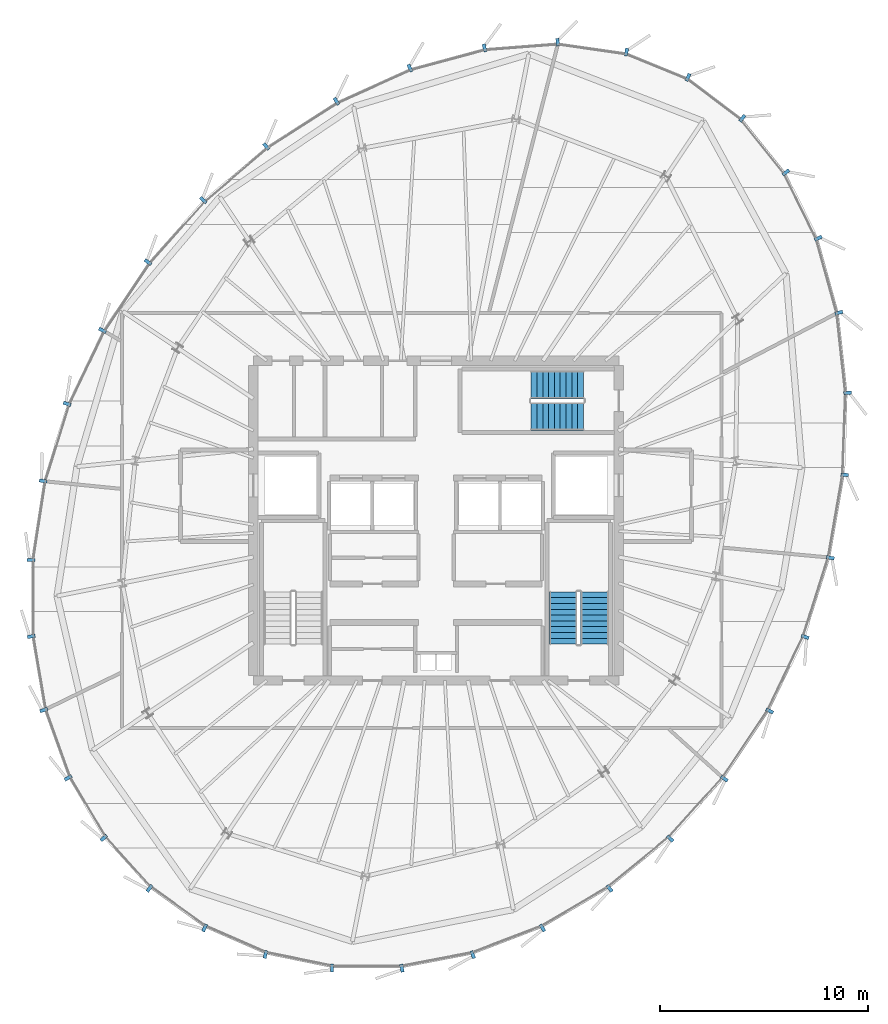
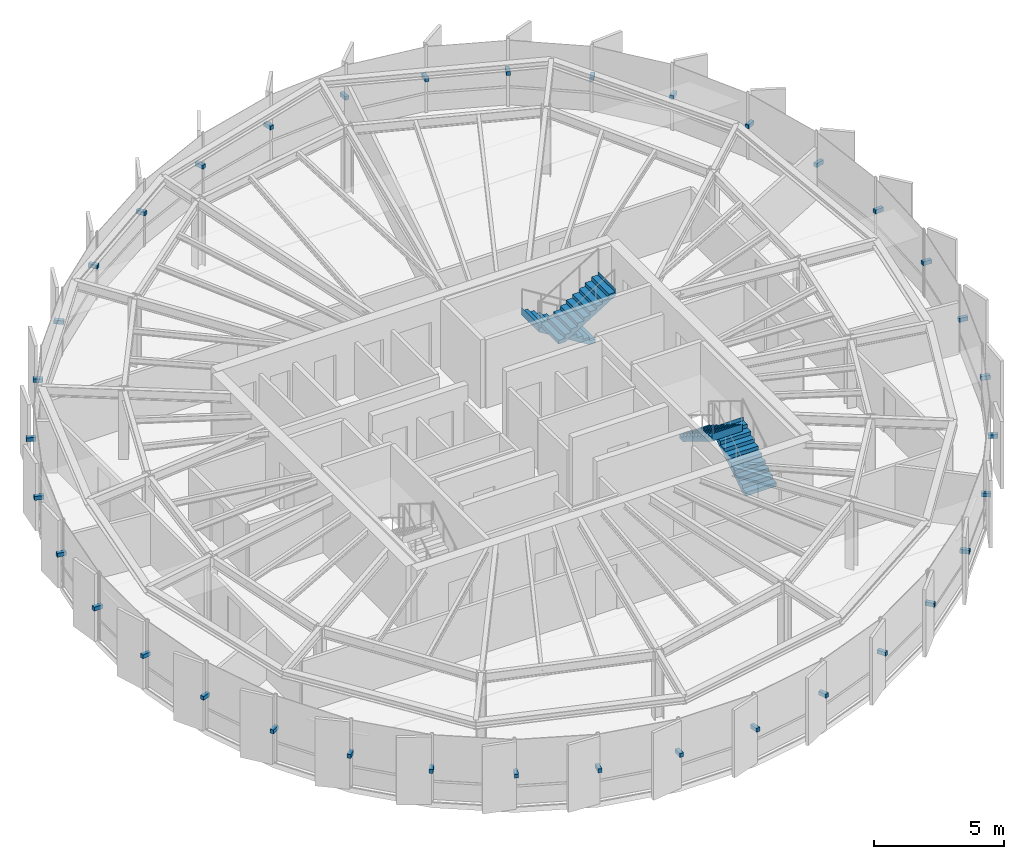
# One storey, part 27 of 31: 36 discrete accessories, 4 stair flights, 2 elements without a shape of their own.
"""IFC4 building model written with IfcOpenShell, lengths in metres."""

import ifcopenshell
import ifcopenshell.guid

model = None  # the IFC model being written
_history = None  # IfcOwnerHistory: only IFC2X3 demands one
_inside = {}  # id of a spatial element -> (the spatial element, [elements in it])
_under = {}  # id of a project, library or spatial element -> (it, [spatial elements below it])
_declared = {}  # id of a project -> (the project, [libraries it declares])
_typed = {}  # id of a type object -> (the type object, [elements of that type])
_made_of = {}  # id of a material, layer set ... -> (it, [elements and type objects made of it])


def new_model(schema):
    """Start an empty IFC model of exactly this schema.

    Asked for "IFC4X3", IfcOpenShell would pick the latest addendum, in which some entities
    have other attributes; the version numbers below select the first issue.
    IFC2X3 requires an IfcOwnerHistory on every rooted entity: one is made here for all.
    """
    global model, _history
    if schema == "IFC4X3":
        model = ifcopenshell.file(schema_version=(4, 3, 0, 0))
    else:
        model = ifcopenshell.file(schema=schema)
    _inside.clear()
    _under.clear()
    _declared.clear()
    _typed.clear()
    _made_of.clear()
    _history = None
    if model.schema == "IFC2X3":
        org = make("IfcOrganization", Name="unknown")
        user = make(
            "IfcPersonAndOrganization",
            ThePerson=make("IfcPerson", FamilyName="unknown"),
            TheOrganization=org,
        )
        app = make(
            "IfcApplication",
            ApplicationDeveloper=org,
            Version="unknown",
            ApplicationFullName="unknown",
            ApplicationIdentifier="unknown",
        )
        _history = make(
            "IfcOwnerHistory",
            OwningUser=user,
            OwningApplication=app,
            ChangeAction="ADDED",
            CreationDate=0,
        )
    return model


def make(cls, **values):
    """One entity of the class cls with the attributes given. An attribute that is None is left unset."""
    return model.create_entity(
        cls, **{name: value for name, value in values.items() if value is not None}
    )


def rooted(cls, **values):
    """An entity with a GlobalId (a new one), such as an element, a storey or a relation."""
    return make(cls, GlobalId=ifcopenshell.guid.new(), OwnerHistory=_history, **values)


def si_unit(unit_type, name, prefix=None):
    """IfcSIUnit, for example si_unit("LENGTHUNIT", "METRE", prefix="MILLI")."""
    return make("IfcSIUnit", UnitType=unit_type, Prefix=prefix, Name=name)


def assignment(units):
    """IfcUnitAssignment: the units of a project."""
    return None if units is None else make("IfcUnitAssignment", Units=units)


def point(xyz):
    """IfcCartesianPoint."""
    return None if xyz is None else make("IfcCartesianPoint", Coordinates=xyz)


def direction(xyz):
    """IfcDirection."""
    return None if xyz is None else make("IfcDirection", DirectionRatios=xyz)


def frame(location, z_axis=None, x_axis=None):
    """IfcAxis2Placement3D, a coordinate frame: its origin and axes. An axis left out is left unset."""
    return make(
        "IfcAxis2Placement3D",
        Location=point(location),
        Axis=direction(z_axis),
        RefDirection=direction(x_axis),
    )


def frame_2d(location, x_axis=None):
    """IfcAxis2Placement2D, a coordinate frame in the plane: its origin and x axis."""
    return make(
        "IfcAxis2Placement2D", Location=point(location), RefDirection=direction(x_axis)
    )


def origin():
    """The frame at (0, 0, 0) with its axes left unset."""
    return frame((0.0, 0.0, 0.0))


def origin_2d():
    """The frame at (0, 0) in the plane with its x axis left unset."""
    return frame_2d((0.0, 0.0))


def place(relative_to, where):
    """IfcLocalPlacement: puts the frame where relative to a parent placement (None: the world)."""
    return make(
        "IfcLocalPlacement", PlacementRelTo=relative_to, RelativePlacement=where
    )


def context(
    kind, dimensions, precision=None, world=None, true_north=None, identifier=None
):
    """IfcGeometricRepresentationContext, for example the 3D "Model" context."""
    return make(
        "IfcGeometricRepresentationContext",
        ContextIdentifier=identifier,
        ContextType=kind,
        CoordinateSpaceDimension=dimensions,
        Precision=precision,
        WorldCoordinateSystem=world,
        TrueNorth=true_north,
    )


def subcontext(parent, identifier, kind, view, scale=None):
    """IfcGeometricRepresentationSubContext, for example "Body" below "Model"."""
    return make(
        "IfcGeometricRepresentationSubContext",
        ContextIdentifier=identifier,
        ContextType=kind,
        ParentContext=parent,
        TargetScale=scale,
        TargetView=view,
    )


def project(units=None, contexts=None):
    """IfcProject with its units and contexts."""
    return rooted(
        "IfcProject",
        Name="project",
        RepresentationContexts=contexts,
        UnitsInContext=assignment(units),
    )


def spatial(cls, under=None, at=None, **own):
    """A site, building, storey or space (cls), placed at a placement, below another one or the project."""
    s = rooted(cls, ObjectPlacement=at, **own)
    if under is not None:
        _under.setdefault(under.id(), (under, []))[1].append(s)
    return s


def polyline(points):
    """IfcPolyline through the points."""
    return make("IfcPolyline", Points=[point(p) for p in points])


def profile(cls, at=None, kind="AREA", **sizes):
    """A parametric profile (cls). Its sizes go by their IFC names, for example OverallWidth=200.0."""
    return make(cls, ProfileType=kind, Position=at, **sizes)


def rectangle(**sizes):
    """IfcRectangleProfileDef."""
    return profile("IfcRectangleProfileDef", **sizes)


def outline(outer, holes=None, kind="AREA"):
    """IfcArbitraryClosedProfileDef: a profile drawn as a closed curve; with holes, ...WithVoids."""
    if holes is None:
        return make("IfcArbitraryClosedProfileDef", ProfileType=kind, OuterCurve=outer)
    return make(
        "IfcArbitraryProfileDefWithVoids",
        ProfileType=kind,
        OuterCurve=outer,
        InnerCurves=holes,
    )


def extrude(swept, where, along, depth):
    """IfcExtrudedAreaSolid: the profile swept, set in the frame where, extruded along a direction by depth."""
    return make(
        "IfcExtrudedAreaSolid",
        SweptArea=swept,
        Position=where,
        ExtrudedDirection=direction(along),
        Depth=depth,
    )


def shape(context_of_items, identifier, shape_type, items):
    """IfcShapeRepresentation: the items that make up one representation, for example the "Body"."""
    return make(
        "IfcShapeRepresentation",
        ContextOfItems=context_of_items,
        RepresentationIdentifier=identifier,
        RepresentationType=shape_type,
        Items=items,
    )


def source(mapping_origin, context_of_items, identifier, shape_type, items):
    """IfcRepresentationMap: a shape defined once, which mapped items show again and again."""
    return make(
        "IfcRepresentationMap",
        MappingOrigin=mapping_origin,
        MappedRepresentation=shape(context_of_items, identifier, shape_type, items),
    )


def transform(
    local_origin,
    x_axis=None,
    y_axis=None,
    z_axis=None,
    scale=None,
    scale2=None,
    scale3=None,
    uniform=True,
):
    """IfcCartesianTransformationOperator3D, or its non-uniform kind. x_axis, y_axis, z_axis: its Axis1, 2, 3."""
    if uniform:
        return make(
            "IfcCartesianTransformationOperator3D",
            Axis1=direction(x_axis),
            Axis2=direction(y_axis),
            LocalOrigin=point(local_origin),
            Scale=scale,
            Axis3=direction(z_axis),
        )
    return make(
        "IfcCartesianTransformationOperator3DnonUniform",
        Axis1=direction(x_axis),
        Axis2=direction(y_axis),
        LocalOrigin=point(local_origin),
        Scale=scale,
        Axis3=direction(z_axis),
        Scale2=scale2,
        Scale3=scale3,
    )


def mapped(mapping_source, mapping_target):
    """IfcMappedItem: shows the shape of a source again, moved by a transform."""
    return make(
        "IfcMappedItem", MappingSource=mapping_source, MappingTarget=mapping_target
    )


def material(Name=None, Category=None):
    """IfcMaterial."""
    return make("IfcMaterial", Name=Name, Category=Category)


def made_of(thing, what):
    """Note that an element or type object is made of a material, layer set ...; save() writes the relation."""
    if what is not None:
        _made_of.setdefault(what.id(), (what, []))[1].append(thing)
    return thing


def type_object(cls, material=None, **own):
    """A type object (cls), such as IfcWallType, which elements share."""
    return made_of(rooted(cls, **own), material)


def element(
    cls,
    number,
    at=None,
    inside=None,
    cuts=None,
    type_object=None,
    material=None,
    context=None,
    identifier="Body",
    shape_type=None,
    held_by="IfcProductDefinitionShape",
    body=None,
    shapes=None,
    **own,
):
    """One element of the class cls, such as IfcWall. Its Tag is "e" and its number.

    at: its placement. inside: the storey or other place that contains it. cuts: it is an
    opening in that element (IfcRelVoidsElement). A single representation is given by context,
    identifier, shape_type and body (its items); several are given by shapes. held_by: the class
    of the entity that holds the representations. save() writes the other relations.
    """
    e = rooted(cls, Tag="e%d" % number, ObjectPlacement=at, **own)
    if body is not None:
        shapes = [shape(context, identifier, shape_type, body)]
    if shapes is not None:
        e.Representation = make(held_by, Representations=shapes)
    if inside is not None:
        _inside.setdefault(inside.id(), (inside, []))[1].append(e)
    if cuts is not None:
        rooted(
            "IfcRelVoidsElement", RelatingBuildingElement=cuts, RelatedOpeningElement=e
        )
    if type_object is not None:
        _typed.setdefault(type_object.id(), (type_object, []))[1].append(e)
    return made_of(e, material)


def aggregate(whole, parts):
    """IfcRelAggregates: a whole, such as a stair, and the parts it consists of."""
    return rooted("IfcRelAggregates", RelatingObject=whole, RelatedObjects=parts)


def save(model, path):
    """Write the relations noted so far, then the file.

    IfcRelAggregates (storeys below a building ...), IfcRelContainedInSpatialStructure (elements
    in a storey), IfcRelDefinesByType, IfcRelAssociatesMaterial and IfcRelDeclares: one each for
    every whole, place, type object, material and project.
    """
    for whole, parts in _under.values():
        aggregate(whole, parts)
    for where, things in _inside.values():
        rooted(
            "IfcRelContainedInSpatialStructure",
            RelatedElements=things,
            RelatingStructure=where,
        )
    for kind, things in _typed.values():
        rooted("IfcRelDefinesByType", RelatedObjects=things, RelatingType=kind)
    for what, things in _made_of.values():
        rooted("IfcRelAssociatesMaterial", RelatedObjects=things, RelatingMaterial=what)
    for by, libraries in _declared.values():
        rooted("IfcRelDeclares", RelatingContext=by, RelatedDefinitions=libraries)
    model.write(path)


model = new_model("IFC4")

# Units and contexts
model_context = context("Model", 3, precision=1e-05, world=origin(), true_north=direction((0.0, 1.0)))
body_context = subcontext(model_context, "Body", "Model", "MODEL_VIEW")
ifc_project = project(units=[si_unit("LENGTHUNIT", "METRE"), si_unit("AREAUNIT", "SQUARE_METRE"), si_unit("VOLUMEUNIT", "CUBIC_METRE"), si_unit("PLANEANGLEUNIT", "RADIAN"), si_unit("MASSUNIT", "GRAM", prefix="KILO"), si_unit("THERMODYNAMICTEMPERATUREUNIT", "KELVIN")], contexts=[model_context])

# Site, building, storey
site_placement = place(None, origin())
site = spatial("IfcSite", under=ifc_project, at=site_placement, CompositionType="ELEMENT")
building_placement = place(site_placement, origin())
building = spatial("IfcBuilding", under=site, at=building_placement, Name="Kethvar Cultural Tower", CompositionType="ELEMENT")
storey_placement = place(building_placement, frame((0.0, 0.0, 276.699951171875)))
storey = spatial("IfcBuildingStorey", under=building, at=storey_placement, Name="L73", CompositionType="ELEMENT", Elevation=276.699951171875)

# Stair, stair flights
ifc_material_1 = material(Name="Concrete C40/50", Category="concrete")
stair_type = type_object("IfcStairType", Name="ST-DOGLEG-135", PredefinedType="HALF_TURN_STAIR", material=ifc_material_1)
stair_1_placement = place(storey_placement, origin())
stair_1 = element("IfcStair", 1, at=stair_1_placement, inside=storey, type_object=stair_type, Name="L73 Core Exit Stair 2", PredefinedType="HALF_TURN_STAIR")
stair_flight_type = type_object("IfcStairFlightType", Name="FL-STRAIGHT-135", PredefinedType="STRAIGHT", material=ifc_material_1)
stair_flight_1_placement = place(storey_placement, frame((54.43505859375, 21.85009765625, 0.0), z_axis=(0.0, 0.0, 1.0), x_axis=(0.0, 1.0, 0.0)))
stair_flight_1 = element("IfcStairFlight", 2, at=stair_flight_1_placement, type_object=stair_flight_type, Name="ST-02 flight 1", NumberOfRisers=10, NumberOfTreads=9, PredefinedType="STRAIGHT", RiserHeight=0.1725, TreadLength=0.28, context=body_context, shape_type="SweptSolid", body=[
    extrude(outline(polyline([(-0.0009765625, -0.0009765625), (-0.0009765625, 0.172607421875), (0.280029296875, 0.172607421875), (0.280029296875, 0.344970703125), (0.56005859375, 0.344970703125), (0.56005859375, 0.517578125), (0.840087890625, 0.517578125), (0.840087890625, 0.68994140625), (1.1201171875, 0.68994140625), (1.1201171875, 0.862548828125), (1.39990234375, 0.862548828125), (1.39990234375, 1.034912109375), (1.679931640625, 1.034912109375), (1.679931640625, 1.20751953125), (1.9599609375, 1.20751953125), (1.9599609375, 1.3798828125), (2.239990234375, 1.3798828125), (2.239990234375, 1.552490234375), (2.52001953125, 1.552490234375), (2.52001953125, 1.72509765625), (2.52099609375, 1.72509765625), (2.52099609375, 1.37646484375), (0.285888671875, 0.0), (0.0, -0.0009765625), (-0.0009765625, -0.0009765625)])), frame((0.0, 0.675048828125, 0.0), z_axis=(0.0, -1.0, 0.0), x_axis=(1.0, 0.0, 0.0)), (0.0, 0.0, 1.0), 1.35009765625),
])
stair_flight_2_placement = place(storey_placement, frame((52.925048828125, 24.3701171875, 1.72509765625), z_axis=(0.0, 0.0, 1.0), x_axis=(0.0, -1.0, 0.0)))
stair_flight_2 = element("IfcStairFlight", 3, at=stair_flight_2_placement, type_object=stair_flight_type, Name="ST-02 flight 2", NumberOfRisers=10, NumberOfTreads=9, PredefinedType="STRAIGHT", RiserHeight=0.1725, TreadLength=0.28, context=body_context, shape_type="SweptSolid", body=[
    extrude(outline(polyline([(-0.0009765625, -0.0009765625), (-0.0009765625, 0.172607421875), (0.280029296875, 0.172607421875), (0.280029296875, 0.344970703125), (0.56005859375, 0.344970703125), (0.56005859375, 0.517578125), (0.840087890625, 0.517578125), (0.840087890625, 0.68994140625), (1.1201171875, 0.68994140625), (1.1201171875, 0.862548828125), (1.39990234375, 0.862548828125), (1.39990234375, 1.034912109375), (1.679931640625, 1.034912109375), (1.679931640625, 1.20751953125), (1.9599609375, 1.20751953125), (1.9599609375, 1.3798828125), (2.239990234375, 1.3798828125), (2.239990234375, 1.552490234375), (2.52001953125, 1.552490234375), (2.52001953125, 1.72509765625), (2.52099609375, 1.72509765625), (2.52099609375, 1.37646484375), (0.285888671875, 0.0), (0.0, -0.0009765625), (-0.0009765625, -0.0009765625)])), frame((0.0, 0.675048828125, 0.0), z_axis=(0.0, -1.0, 0.0), x_axis=(1.0, 0.0, 0.0)), (0.0, 0.0, 1.0), 1.35009765625),
])
aggregate(stair_1, [stair_flight_1, stair_flight_2])

stair_2_placement = place(storey_placement, origin())
stair_2 = element("IfcStair", 4, at=stair_2_placement, inside=storey, type_object=stair_type, Name="L73 Core Exit Stair 3", PredefinedType="HALF_TURN_STAIR")
stair_flight_3_placement = place(storey_placement, frame((53.89990234375, 34.3349609375, 0.0), z_axis=(0.0, 0.0, 1.0), x_axis=(-1.0, 0.0, 0.0)))
stair_flight_3 = element("IfcStairFlight", 5, at=stair_flight_3_placement, type_object=stair_flight_type, Name="ST-03 flight 1", NumberOfRisers=10, NumberOfTreads=9, PredefinedType="STRAIGHT", RiserHeight=0.1725, TreadLength=0.28, context=body_context, shape_type="SweptSolid", body=[
    extrude(outline(polyline([(-0.0009765625, -0.0009765625), (-0.0009765625, 0.172607421875), (0.280029296875, 0.172607421875), (0.280029296875, 0.344970703125), (0.56005859375, 0.344970703125), (0.56005859375, 0.517578125), (0.840087890625, 0.517578125), (0.840087890625, 0.68994140625), (1.1201171875, 0.68994140625), (1.1201171875, 0.862548828125), (1.39990234375, 0.862548828125), (1.39990234375, 1.034912109375), (1.679931640625, 1.034912109375), (1.679931640625, 1.20751953125), (1.9599609375, 1.20751953125), (1.9599609375, 1.3798828125), (2.239990234375, 1.3798828125), (2.239990234375, 1.552490234375), (2.52001953125, 1.552490234375), (2.52001953125, 1.72509765625), (2.52099609375, 1.72509765625), (2.52099609375, 1.37646484375), (0.285888671875, 0.0), (0.0, -0.0009765625), (-0.0009765625, -0.0009765625)])), frame((0.0, 0.675048828125, 0.0), z_axis=(0.0, -1.0, 0.0), x_axis=(1.0, 0.0, 0.0)), (0.0, 0.0, 1.0), 1.35009765625),
])
stair_flight_4_placement = place(storey_placement, frame((51.3798828125, 32.824951171875, 1.72509765625), z_axis=(0.0, 0.0, 1.0), x_axis=(1.0, 0.0, 0.0)))
stair_flight_4 = element("IfcStairFlight", 6, at=stair_flight_4_placement, type_object=stair_flight_type, Name="ST-03 flight 2", NumberOfRisers=10, NumberOfTreads=9, PredefinedType="STRAIGHT", RiserHeight=0.1725, TreadLength=0.28, context=body_context, shape_type="SweptSolid", body=[
    extrude(outline(polyline([(-0.0009765625, -0.0009765625), (-0.0009765625, 0.172607421875), (0.280029296875, 0.172607421875), (0.280029296875, 0.344970703125), (0.56005859375, 0.344970703125), (0.56005859375, 0.517578125), (0.840087890625, 0.517578125), (0.840087890625, 0.68994140625), (1.1201171875, 0.68994140625), (1.1201171875, 0.862548828125), (1.39990234375, 0.862548828125), (1.39990234375, 1.034912109375), (1.679931640625, 1.034912109375), (1.679931640625, 1.20751953125), (1.9599609375, 1.20751953125), (1.9599609375, 1.3798828125), (2.239990234375, 1.3798828125), (2.239990234375, 1.552490234375), (2.52001953125, 1.552490234375), (2.52001953125, 1.72509765625), (2.52099609375, 1.72509765625), (2.52099609375, 1.37646484375), (0.285888671875, 0.0), (0.0, -0.0009765625), (-0.0009765625, -0.0009765625)])), frame((0.0, 0.675048828125, 0.0), z_axis=(0.0, -1.0, 0.0), x_axis=(1.0, 0.0, 0.0)), (0.0, 0.0, 1.0), 1.35009765625),
])
aggregate(stair_2, [stair_flight_3, stair_flight_4])

# Discrete accessories
ifc_material_2 = material(Name="Steel S355J2", Category="steel")
discrete_accessory_type = type_object("IfcDiscreteAccessoryType", Name="Steel Fin Bracket BRK-01", PredefinedType="BRACKET", material=ifc_material_2)
shared_shape = source(origin(), body_context, "Body", "SweptSolid", [
    extrude(rectangle(XDim=0.3798828125, YDim=0.159912109375, at=origin_2d()), origin(), (0.0, 0.0, 1.0), 0.179931640625),
])
for number, where, z_axis, x_axis, name in (
    (7, (58.936279296875, 49.1513671875, 1.51513671875), (0.0, 0.0, 1.0), (0.379294674192, 0.925275931887, 0.0), "L73 Terracotta Fin Bracket 1.1"),
    (8, (55.97119140625, 50.366455078125, 1.51513671875), (0.0, 0.0, 1.0), (0.141419587774, 0.989949746297, 0.0), "L73 Terracotta Fin Bracket 1.2"),
    (9, (52.6552734375, 50.840087890625, 1.51513671875), (0.0, 0.0, 1.0), (-0.076719028127, 0.997052752227, 0.0), "L73 Terracotta Fin Bracket 1.3"),
    (10, (49.13623046875, 50.569091796875, 1.51513671875), (0.0, 0.0, 1.0), (-0.26084150629, 0.965381638833, 0.0), "L73 Terracotta Fin Bracket 1.4"),
    (11, (45.541748046875, 49.59765625, 1.51513671875), (0.0, 0.0, 1.0), (-0.412627540369, 0.910899836935, 0.0), "L73 Terracotta Fin Bracket 1.5"),
    (12, (42.002685546875, 47.994384765625, 1.51513671875), (0.0, 0.0, 1.0), (-0.539652703519, 0.841887735737, 0.0), "L73 Terracotta Fin Bracket 1.6"),
    (13, (38.6201171875, 45.820556640625, 1.51513671875), (0.0, 0.0, 1.0), (-0.649182577014, 0.760632619404, 0.0), "L73 Terracotta Fin Bracket 2.1"),
    (14, (35.59033203125, 43.234375, 1.51513671875), (0.0, 0.0, 1.0), (-0.746173581973, 0.665751444284, 0.0), "L73 Terracotta Fin Bracket 2.2"),
    (15, (32.927978515625, 40.2509765625, 1.51513671875), (0.0, 0.0, 1.0), (-0.831178602446, 0.556005513314, 0.0), "L73 Terracotta Fin Bracket 2.3"),
    (16, (30.73046875, 36.965087890625, 1.51513671875), (0.0, 0.0, 1.0), (-0.901832526405, 0.432085748802, 0.0), "L73 Terracotta Fin Bracket 2.4"),
    (17, (29.033447265625, 33.422607421875, 1.51513671875), (0.0, 0.0, 1.0), (-0.954708883255, 0.297541506743, 0.0), "L73 Terracotta Fin Bracket 2.5"),
    (18, (27.876220703125, 29.708984375, 1.51513671875), (0.0, 0.0, 1.0), (-0.98828172337, 0.15264087019, 0.0), "L73 Terracotta Fin Bracket 2.6"),
    (19, (27.2939453125, 25.902099609375, 1.51513671875), (0.0, 0.0, 1.0), (-0.9999961009, -0.002792523174, 0.0), "L73 Terracotta Fin Bracket 3.1"),
    (20, (27.30419921875, 22.222900390625, 1.51513671875), (0.0, 0.0, 1.0), (-0.98587937025, -0.16745706111, 0.0), "L73 Terracotta Fin Bracket 3.2"),
    (21, (27.90673828125, 18.67724609375, 1.51513671875), (0.0, 0.0, 1.0), (-0.940880768954, -0.338737920245, 0.0), "L73 Terracotta Fin Bracket 3.3"),
    (22, (29.08349609375, 15.40869140625, 1.51513671875), (0.0, 0.0, 1.0), (-0.860119473365, -0.510092630351, 0.0), "L73 Terracotta Fin Bracket 3.4"),
    (23, (30.798828125, 12.5166015625, 1.51513671875), (0.0, 0.0, 1.0), (-0.740804596287, -0.671720589323, 0.0), "L73 Terracotta Fin Bracket 3.5"),
    (24, (33.00048828125, 10.0888671875, 1.51513671875), (0.0, 0.0, 1.0), (-0.584816108738, -0.81116590101, 0.0), "L73 Terracotta Fin Bracket 3.6"),
    (25, (35.654052734375, 8.185302734375, 1.51513671875), (0.0, 0.0, 1.0), (-0.400508961926, -0.916292841518, 0.0), "L73 Terracotta Fin Bracket 4.1"),
    (26, (38.581787109375, 6.90576171875, 1.51513671875), (0.0, 0.0, 1.0), (-0.201077921146, -0.979575249599, 0.0), "L73 Terracotta Fin Bracket 4.2"),
    (27, (41.792236328125, 6.2470703125, 1.51513671875), (0.0, 0.0, 1.0), (-0.001221730172, -0.999999253687, 0.0), "L73 Terracotta Fin Bracket 4.3"),
    (28, (45.154541015625, 6.2431640625, 1.51513671875), (0.0, 0.0, 1.0), (0.187381314586, -0.982287250729, 0.0), "L73 Terracotta Fin Bracket 4.4"),
    (29, (48.566650390625, 6.894287109375, 1.51513671875), (0.0, 0.0, 1.0), (0.357716100175, -0.933830386995, 0.0), "L73 Terracotta Fin Bracket 4.5"),
    (30, (51.925048828125, 8.180908203125, 1.51513671875), (0.0, 0.0, 1.0), (0.50663578889, -0.862160180834, 0.0), "L73 Terracotta Fin Bracket 4.6"),
    (31, (55.155517578125, 10.0859375, 1.51513671875), (0.0, 0.0, 1.0), (0.634460739636, -0.772955089162, 0.0), "L73 Terracotta Fin Bracket 5.1"),
    (32, (58.077392578125, 12.484375, 1.51513671875), (0.0, 0.0, 1.0), (0.742092841193, -0.670297109534, 0.0), "L73 Terracotta Fin Bracket 5.2"),
    (33, (60.684326171875, 15.370849609375, 1.51513671875), (0.0, 0.0, 1.0), (0.830984469274, -0.5562956155, 0.0), "L73 Terracotta Fin Bracket 5.3"),
    (34, (62.869384765625, 18.635009765625, 1.51513671875), (0.0, 0.0, 1.0), (0.901681645086, -0.432400521409, 0.0), "L73 Terracotta Fin Bracket 5.4"),
    (35, (64.578857421875, 22.19921875, 1.51513671875), (0.0, 0.0, 1.0), (0.952873504196, -0.303367903708, 0.0), "L73 Terracotta Fin Bracket 5.5"),
    (36, (65.79150390625, 26.009521484375, 1.51513671875), (0.0, 0.0, 1.0), (0.985169280715, -0.171585221787, 0.0), "L73 Terracotta Fin Bracket 5.6"),
    (37, (66.482421875, 30.004638671875, 1.51513671875), (0.0, 0.0, 1.0), (0.999353732381, -0.035946037002, 0.0), "L73 Terracotta Fin Bracket 6.1"),
    (38, (66.624267578125, 33.951904296875, 1.51513671875), (0.0, 0.0, 1.0), (0.994094279368, 0.108519877105, 0.0), "L73 Terracotta Fin Bracket 6.2"),
    (39, (66.202392578125, 37.814453125, 1.51513671875), (0.0, 0.0, 1.0), (0.96372367829, 0.26690198932, 0.0), "L73 Terracotta Fin Bracket 6.3"),
    (40, (65.20849609375, 41.4033203125, 1.51513671875), (0.0, 0.0, 1.0), (0.897258369674, 0.441505852792, 0.0), "L73 Terracotta Fin Bracket 6.4"),
    (41, (63.64990234375, 44.570068359375, 1.51513671875), (0.0, 0.0, 1.0), (0.780102924084, 0.625651203016, 0.0), "L73 Terracotta Fin Bracket 6.5"),
    (42, (61.5537109375, 47.18310546875, 1.51513671875), (0.0, 0.0, 1.0), (0.603347183213, 0.797478637023, 0.0), "L73 Terracotta Fin Bracket 6.6"),
):
    element("IfcDiscreteAccessory", number, at=place(storey_placement, frame(where, z_axis=z_axis, x_axis=x_axis)), inside=storey, type_object=discrete_accessory_type, Name=name, PredefinedType="BRACKET", context=body_context, shape_type="MappedRepresentation", body=[
        mapped(shared_shape, transform((0.0, 0.0, 0.0), scale=1.0)),
    ])

save(model, "model.ifc")
